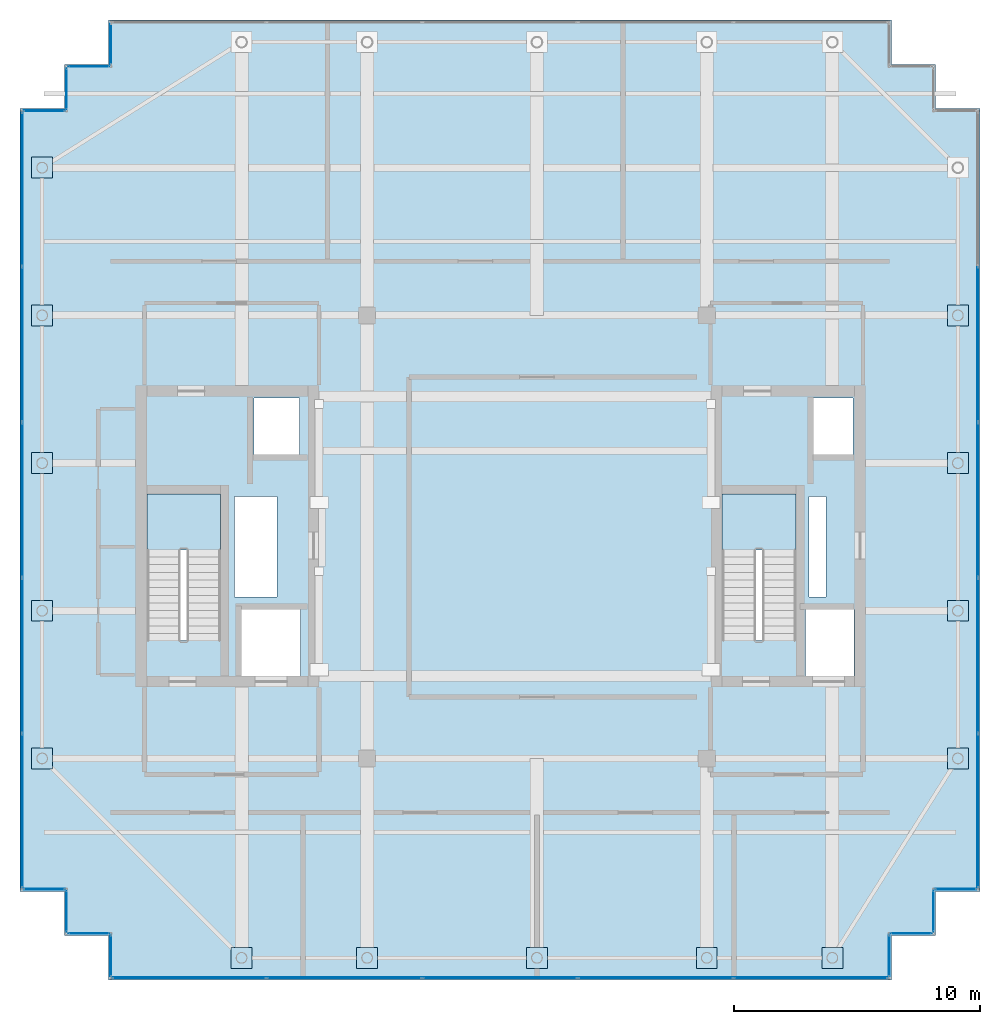
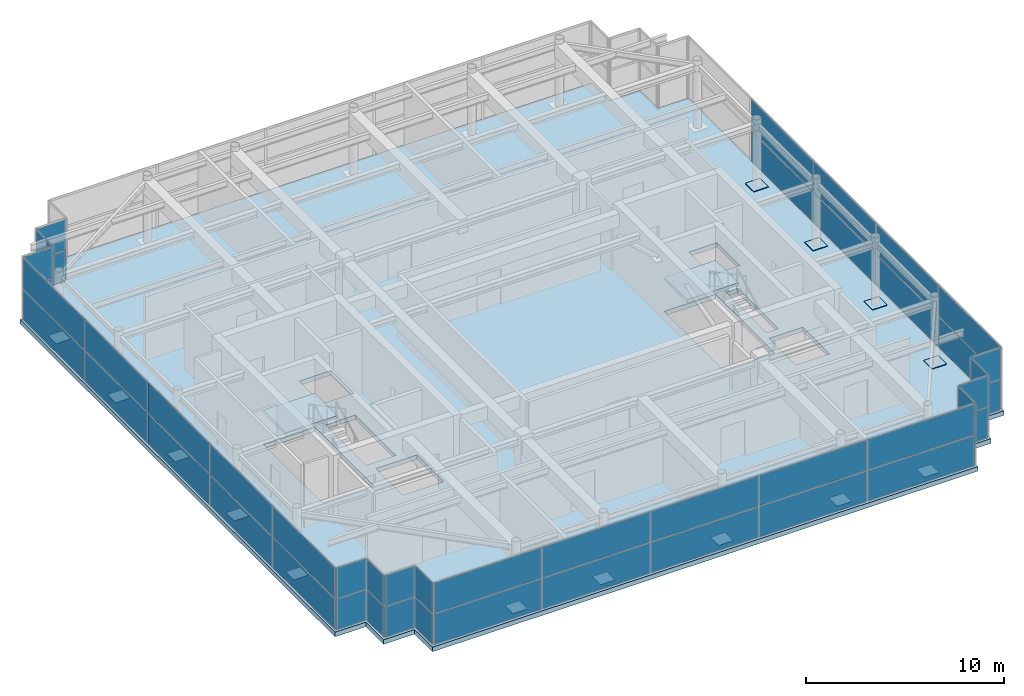
# One storey, part 28 of 32: 65 plates, 3 slabs, 17 elements without a shape of their own.
"""IFC4 building model written with IfcOpenShell, lengths in metres."""

from ifc_helpers import new_model, si_unit, direction, frame, origin, origin_2d, place, context, subcontext, project, spatial, polyline, rectangle, outline, extrude, source, transform, mapped, material, layer, layer_set, type_object, element, aggregate, save


model = new_model("IFC4")

# Units and contexts
model_context = context("Model", 3, precision=1e-05, world=origin(), true_north=direction((0.0, 1.0)))
body_context = subcontext(model_context, "Body", "Model", "MODEL_VIEW")
ifc_project = project(units=[si_unit("LENGTHUNIT", "METRE"), si_unit("AREAUNIT", "SQUARE_METRE"), si_unit("VOLUMEUNIT", "CUBIC_METRE"), si_unit("PLANEANGLEUNIT", "RADIAN"), si_unit("MASSUNIT", "GRAM", prefix="KILO")], contexts=[model_context])

# Site, building, storey
site_placement = place(None, origin())
site = spatial("IfcSite", under=ifc_project, at=site_placement, CompositionType="ELEMENT")
building_placement = place(site_placement, origin())
building = spatial("IfcBuilding", under=site, at=building_placement, Name="Khoralis Quay Care Tower", CompositionType="ELEMENT")
storey_placement = place(building_placement, frame((0.0, 0.0, 293.699951171875)))
storey = spatial("IfcBuildingStorey", under=building, at=storey_placement, Name="L77", CompositionType="ELEMENT", Elevation=293.699951171875)

# Stair, slab
ifc_material_1 = material(Name="Precast concrete C45/55", Category="concrete")
stair_type = type_object("IfcStairType", Name="ST-TWR-DOGLEG-1400", PredefinedType="HALF_TURN_STAIR", material=ifc_material_1)
stair_1_placement = place(storey_placement, origin())
stair_1 = element("IfcStair", 1, at=stair_1_placement, inside=storey, type_object=stair_type, Name="L77 West Core Exit Stair ST-T1", PredefinedType="HALF_TURN_STAIR")
ifc_layer_1 = layer(ifc_material_1, 0.199951171875)
ifc_layer_set_1 = layer_set([ifc_layer_1], Name="Precast concrete C45/55")
slab_type_1 = type_object("IfcSlabType", Name="SLB-LANDING-200", PredefinedType="LANDING", material=ifc_layer_set_1)
slab_1_placement = place(storey_placement, frame((0.0, 0.0, 1.900146484375)))
slab_1 = element("IfcSlab", 2, at=slab_1_placement, type_object=slab_type_1, Name="ST-T1 landing 1", PredefinedType="LANDING", context=body_context, shape_type="SweptSolid", body=[
    extrude(outline(polyline([(11.14990234375, 20.4599609375), (11.14990234375, 22.75), (8.14990234375, 22.75), (8.14990234375, 20.4599609375), (11.14990234375, 20.4599609375)])), origin(), (0.0, 0.0, 1.0), 0.199951171875),
])
aggregate(stair_1, [slab_1])

stair_2_placement = place(storey_placement, origin())
stair_2 = element("IfcStair", 3, at=stair_2_placement, inside=storey, type_object=stair_type, Name="L77 East Core Exit Stair ST-T2", PredefinedType="HALF_TURN_STAIR")
slab_2_placement = place(storey_placement, frame((0.0, 0.0, 1.900146484375)))
slab_2 = element("IfcSlab", 4, at=slab_2_placement, type_object=slab_type_1, Name="ST-T2 landing 1", PredefinedType="LANDING", context=body_context, shape_type="SweptSolid", body=[
    extrude(outline(polyline([(34.52001953125, 20.4599609375), (34.52001953125, 22.75), (31.52001953125, 22.75), (31.52001953125, 20.4599609375), (34.52001953125, 20.4599609375)])), origin(), (0.0, 0.0, 1.0), 0.199951171875),
])
aggregate(stair_2, [slab_2])

# Slab
ifc_material_2 = material(Name="Concrete C40/50", Category="concrete")
ifc_layer_2 = layer(ifc_material_2, 0.280029296875)
ifc_layer_set_2 = layer_set([ifc_layer_2], Name="Concrete C40/50")
slab_type_2 = type_object("IfcSlabType", Name="SLB-TWR-280", PredefinedType="FLOOR", material=ifc_layer_set_2)
slab_3_placement = place(storey_placement, frame((0.0, 0.0, -0.280029296875)))
element("IfcSlab", 5, at=slab_3_placement, inside=storey, type_object=slab_type_2, Name="Tower Floor Slab L77", PredefinedType="FLOOR", context=body_context, shape_type="SweptSolid", body=[
    extrude(outline(polyline([(6.60009765625, 3.0), (38.39990234375, 3.0), (38.39990234375, 4.800048828125), (40.199951171875, 4.800048828125), (40.199951171875, 6.60009765625), (42.0, 6.60009765625), (42.0, 38.39990234375), (40.199951171875, 38.39990234375), (40.199951171875, 40.199951171875), (38.39990234375, 40.199951171875), (38.39990234375, 42.0), (6.60009765625, 42.0), (6.60009765625, 40.199951171875), (4.800048828125, 40.199951171875), (4.800048828125, 38.39990234375), (3.0, 38.39990234375), (3.0, 6.60009765625), (4.800048828125, 6.60009765625), (4.800048828125, 4.800048828125), (6.60009765625, 4.800048828125), (6.60009765625, 3.0)]), holes=[polyline([(11.14990234375, 16.800048828125), (11.14990234375, 22.75), (8.14990234375, 22.75), (8.14990234375, 16.800048828125), (11.14990234375, 16.800048828125)]), polyline([(34.52001953125, 16.800048828125), (34.52001953125, 22.75), (31.52001953125, 22.75), (31.52001953125, 16.800048828125), (34.52001953125, 16.800048828125)]), polyline([(12.0, 15.35009765625), (14.39990234375, 15.35009765625), (14.39990234375, 18.050048828125), (12.0, 18.050048828125), (12.0, 15.35009765625)]), polyline([(34.919921875, 15.35009765625), (36.8798828125, 15.35009765625), (36.8798828125, 18.050048828125), (34.919921875, 18.050048828125), (34.919921875, 15.35009765625)]), polyline([(12.5, 24.35009765625), (14.35009765625, 24.35009765625), (14.35009765625, 26.64990234375), (12.5, 26.64990234375), (12.5, 24.35009765625)]), polyline([(35.199951171875, 24.35009765625), (36.85009765625, 24.35009765625), (36.85009765625, 26.64990234375), (35.199951171875, 26.64990234375), (35.199951171875, 24.35009765625)]), polyline([(11.719970703125, 18.550048828125), (13.449951171875, 18.550048828125), (13.449951171875, 22.64990234375), (11.719970703125, 22.64990234375), (11.719970703125, 18.550048828125)]), polyline([(35.050048828125, 18.550048828125), (35.75, 18.550048828125), (35.75, 22.64990234375), (35.050048828125, 22.64990234375), (35.050048828125, 18.550048828125)])]), origin(), (0.0, 0.0, 1.0), 0.280029296875),
])

# Plates
ifc_material_3 = material(Name="Steel S460", Category="steel")
ifc_layer_3 = layer(ifc_material_3, 0.0400390625)
ifc_layer_set_3 = layer_set([ifc_layer_3], Name="Steel S460")
plate_type_1 = type_object("IfcPlateType", Name="PLT-BASE-LB1", PredefinedType="USERDEFINED", material=ifc_layer_set_3)
shared_shape_1 = source(origin(), body_context, "Body", "SweptSolid", [
    extrude(rectangle(XDim=0.85009765625, YDim=0.85009765625, at=origin_2d()), origin(), (0.0, 0.0, 1.0), 0.0400390625),
])
for number, where, z_axis, x_axis, name in (
    (6, (12.0, 3.89990234375, 0.0), (0.0, 0.0, 1.0), (1.0, 0.0, 0.0), "Lantern Crown Column Base Plate LB1-01"),
    (7, (17.10009765625, 3.89990234375, 0.0), (0.0, 0.0, 1.0), (1.0, 0.0, 0.0), "Lantern Crown Column Base Plate LB1-03"),
    (8, (24.0, 3.89990234375, 0.0), (0.0, 0.0, 1.0), (1.0, 0.0, 0.0), "Lantern Crown Column Base Plate LB1-05"),
    (9, (30.89990234375, 3.89990234375, 0.0), (0.0, 0.0, 1.0), (1.0, 0.0, 0.0), "Lantern Crown Column Base Plate LB1-07"),
    (10, (36.0, 3.89990234375, 0.0), (0.0, 0.0, 1.0), (1.0, 0.0, 0.0), "Lantern Crown Column Base Plate LB1-09"),
    (11, (3.89990234375, 12.0, 0.0), (0.0, 0.0, 1.0), (1.0, 0.0, 0.0), "Lantern Crown Column Base Plate LB1-11"),
    (12, (41.10009765625, 12.0, 0.0), (0.0, 0.0, 1.0), (1.0, 0.0, 0.0), "Lantern Crown Column Base Plate LB1-12"),
    (13, (3.89990234375, 18.0, 0.0), (0.0, 0.0, 1.0), (1.0, 0.0, 0.0), "Lantern Crown Column Base Plate LB1-13"),
    (14, (41.10009765625, 18.0, 0.0), (0.0, 0.0, 1.0), (1.0, 0.0, 0.0), "Lantern Crown Column Base Plate LB1-14"),
    (15, (3.89990234375, 24.0, 0.0), (0.0, 0.0, 1.0), (1.0, 0.0, 0.0), "Lantern Crown Column Base Plate LB1-15"),
    (16, (41.10009765625, 24.0, 0.0), (0.0, 0.0, 1.0), (1.0, 0.0, 0.0), "Lantern Crown Column Base Plate LB1-16"),
    (17, (3.89990234375, 30.0, 0.0), (0.0, 0.0, 1.0), (1.0, 0.0, 0.0), "Lantern Crown Column Base Plate LB1-17"),
    (18, (41.10009765625, 30.0, 0.0), (0.0, 0.0, 1.0), (1.0, 0.0, 0.0), "Lantern Crown Column Base Plate LB1-18"),
    (19, (3.89990234375, 36.0, 0.0), (0.0, 0.0, 1.0), (1.0, 0.0, 0.0), "Lantern Crown Column Base Plate LB1-19"),
):
    element("IfcPlate", number, at=place(storey_placement, frame(where, z_axis=z_axis, x_axis=x_axis)), inside=storey, type_object=plate_type_1, Name=name, ObjectType="BASE_PLATE", PredefinedType="USERDEFINED", context=body_context, shape_type="MappedRepresentation", body=[
        mapped(shared_shape_1, transform((0.0, 0.0, 0.0), scale=1.0)),
    ])

# Curtain wall, plates
ifc_material_4 = material(Name="Pale anodised aluminium", Category="aluminium")
ifc_layer_4 = layer(ifc_material_4, 0.199951171875)
ifc_layer_set_4 = layer_set([ifc_layer_4], Name="Pale anodised aluminium")
curtain_wall_type = type_object("IfcCurtainWallType", Name="CW-SYS-LANTERN", PredefinedType="NOTDEFINED", material=ifc_layer_set_4)
curtain_wall_1_placement = place(storey_placement, origin())
curtain_wall_1 = element("IfcCurtainWall", 20, at=curtain_wall_1_placement, inside=storey, type_object=curtain_wall_type, Name="L77 Unitised Curtain Wall CW-LN-L77-01", PredefinedType="NOTDEFINED")
ifc_material_5 = material(Name="Low-iron clear lantern glazing", Category="glass")
ifc_layer_5 = layer(ifc_material_5, 0.035888671875)
ifc_layer_set_5 = layer_set([ifc_layer_5], Name="Low-iron clear lantern glazing")
plate_type_2 = type_object("IfcPlateType", Name="PNL-LNT-36", PredefinedType="CURTAIN_PANEL", material=ifc_layer_set_5)
shared_shape_2 = source(origin(), body_context, "Body", "SweptSolid", [
    extrude(rectangle(XDim=6.23388671875, YDim=0.028076171875, at=origin_2d()), origin(), (0.0, 0.0, 1.0), 1.8701171875),
])
plate_1_placement = place(storey_placement, frame((9.866943359375, 3.090087890625, 0.06005859375), z_axis=(0.0, 0.0, 1.0), x_axis=(1.0, 0.0, 0.0)))
plate_1 = element("IfcPlate", 21, at=plate_1_placement, type_object=plate_type_2, Name="CW5 panel 1.1", PredefinedType="CURTAIN_PANEL", context=body_context, shape_type="MappedRepresentation", body=[
    mapped(shared_shape_2, transform((0.0, 0.0, 0.0), scale=1.0)),
])
plate_2_placement = place(storey_placement, frame((9.866943359375, 3.090087890625, 1.989990234375), z_axis=(0.0, 0.0, 1.0), x_axis=(1.0, 0.0, 0.0)))
plate_2 = element("IfcPlate", 22, at=plate_2_placement, type_object=plate_type_2, Name="CW5 panel 1.2", PredefinedType="CURTAIN_PANEL", context=body_context, shape_type="MappedRepresentation", body=[
    mapped(shared_shape_2, transform((0.0, 0.0, 0.0), scale=1.0)),
])
plate_3_placement = place(storey_placement, frame((35.133056640625, 3.090087890625, 0.06005859375), z_axis=(0.0, 0.0, 1.0), x_axis=(1.0, 0.0, 0.0)))
plate_3 = element("IfcPlate", 23, at=plate_3_placement, type_object=plate_type_2, Name="CW5 panel 5.1", PredefinedType="CURTAIN_PANEL", context=body_context, shape_type="MappedRepresentation", body=[
    mapped(shared_shape_2, transform((0.0, 0.0, 0.0), scale=1.0)),
])
plate_4_placement = place(storey_placement, frame((35.133056640625, 3.090087890625, 1.989990234375), z_axis=(0.0, 0.0, 1.0), x_axis=(1.0, 0.0, 0.0)))
plate_4 = element("IfcPlate", 24, at=plate_4_placement, type_object=plate_type_2, Name="CW5 panel 5.2", PredefinedType="CURTAIN_PANEL", context=body_context, shape_type="MappedRepresentation", body=[
    mapped(shared_shape_2, transform((0.0, 0.0, 0.0), scale=1.0)),
])

curtain_wall_2_placement = place(storey_placement, origin())
curtain_wall_2 = element("IfcCurtainWall", 25, at=curtain_wall_2_placement, inside=storey, type_object=curtain_wall_type, Name="L77 Unitised Curtain Wall CW-LN-L77-06", PredefinedType="NOTDEFINED")
plate_5_placement = place(storey_placement, frame((41.909912109375, 9.866943359375, 0.06005859375), z_axis=(0.0, 0.0, 1.0), x_axis=(0.0, 1.0, 0.0)))
plate_5 = element("IfcPlate", 26, at=plate_5_placement, type_object=plate_type_2, Name="CW5 panel 1.1", PredefinedType="CURTAIN_PANEL", context=body_context, shape_type="MappedRepresentation", body=[
    mapped(shared_shape_2, transform((0.0, 0.0, 0.0), scale=1.0)),
])
plate_6_placement = place(storey_placement, frame((41.909912109375, 9.866943359375, 1.989990234375), z_axis=(0.0, 0.0, 1.0), x_axis=(0.0, 1.0, 0.0)))
plate_6 = element("IfcPlate", 27, at=plate_6_placement, type_object=plate_type_2, Name="CW5 panel 1.2", PredefinedType="CURTAIN_PANEL", context=body_context, shape_type="MappedRepresentation", body=[
    mapped(shared_shape_2, transform((0.0, 0.0, 0.0), scale=1.0)),
])

curtain_wall_3_placement = place(storey_placement, origin())
curtain_wall_3 = element("IfcCurtainWall", 28, at=curtain_wall_3_placement, inside=storey, type_object=curtain_wall_type, Name="L77 Unitised Curtain Wall CW-LN-L77-16", PredefinedType="NOTDEFINED")
plate_7_placement = place(storey_placement, frame((3.090087890625, 35.133056640625, 0.06005859375), z_axis=(0.0, 0.0, 1.0), x_axis=(0.0, -1.0, 0.0)))
plate_7 = element("IfcPlate", 29, at=plate_7_placement, type_object=plate_type_2, Name="CW5 panel 1.1", PredefinedType="CURTAIN_PANEL", context=body_context, shape_type="MappedRepresentation", body=[
    mapped(shared_shape_2, transform((0.0, 0.0, 0.0), scale=1.0)),
])
plate_8_placement = place(storey_placement, frame((3.090087890625, 35.133056640625, 1.989990234375), z_axis=(0.0, 0.0, 1.0), x_axis=(0.0, -1.0, 0.0)))
plate_8 = element("IfcPlate", 30, at=plate_8_placement, type_object=plate_type_2, Name="CW5 panel 1.2", PredefinedType="CURTAIN_PANEL", context=body_context, shape_type="MappedRepresentation", body=[
    mapped(shared_shape_2, transform((0.0, 0.0, 0.0), scale=1.0)),
])
plate_9_placement = place(storey_placement, frame((3.090087890625, 9.866943359375, 0.06005859375), z_axis=(0.0, 0.0, 1.0), x_axis=(0.0, -1.0, 0.0)))
plate_9 = element("IfcPlate", 31, at=plate_9_placement, type_object=plate_type_2, Name="CW5 panel 5.1", PredefinedType="CURTAIN_PANEL", context=body_context, shape_type="MappedRepresentation", body=[
    mapped(shared_shape_2, transform((0.0, 0.0, 0.0), scale=1.0)),
])
plate_10_placement = place(storey_placement, frame((3.090087890625, 9.866943359375, 1.989990234375), z_axis=(0.0, 0.0, 1.0), x_axis=(0.0, -1.0, 0.0)))
plate_10 = element("IfcPlate", 32, at=plate_10_placement, type_object=plate_type_2, Name="CW5 panel 5.2", PredefinedType="CURTAIN_PANEL", context=body_context, shape_type="MappedRepresentation", body=[
    mapped(shared_shape_2, transform((0.0, 0.0, 0.0), scale=1.0)),
])

# Plate
shared_shape_3 = source(origin(), body_context, "Body", "SweptSolid", [
    extrude(rectangle(XDim=6.263916015625, YDim=0.028076171875, at=origin_2d()), origin(), (0.0, 0.0, 1.0), 1.8701171875),
])
plate_11_placement = place(storey_placement, frame((16.176025390625, 3.090087890625, 0.06005859375), z_axis=(0.0, 0.0, 1.0), x_axis=(1.0, 0.0, 0.0)))
plate_11 = element("IfcPlate", 33, at=plate_11_placement, type_object=plate_type_2, Name="CW5 panel 2.1", PredefinedType="CURTAIN_PANEL", context=body_context, shape_type="MappedRepresentation", body=[
    mapped(shared_shape_3, transform((0.0, 0.0, 0.0), scale=1.0)),
])

plate_12_placement = place(storey_placement, frame((16.176025390625, 3.090087890625, 1.989990234375), z_axis=(0.0, 0.0, 1.0), x_axis=(1.0, 0.0, 0.0)))
plate_12 = element("IfcPlate", 34, at=plate_12_placement, type_object=plate_type_2, Name="CW5 panel 2.2", PredefinedType="CURTAIN_PANEL", context=body_context, shape_type="MappedRepresentation", body=[
    mapped(shared_shape_3, transform((0.0, 0.0, 0.0), scale=1.0)),
])

plate_13_placement = place(storey_placement, frame((22.5, 3.090087890625, 0.06005859375), z_axis=(0.0, 0.0, 1.0), x_axis=(1.0, 0.0, 0.0)))
plate_13 = element("IfcPlate", 35, at=plate_13_placement, type_object=plate_type_2, Name="CW5 panel 3.1", PredefinedType="CURTAIN_PANEL", context=body_context, shape_type="MappedRepresentation", body=[
    mapped(shared_shape_3, transform((0.0, 0.0, 0.0), scale=1.0)),
])

plate_14_placement = place(storey_placement, frame((22.5, 3.090087890625, 1.989990234375), z_axis=(0.0, 0.0, 1.0), x_axis=(1.0, 0.0, 0.0)))
plate_14 = element("IfcPlate", 36, at=plate_14_placement, type_object=plate_type_2, Name="CW5 panel 3.2", PredefinedType="CURTAIN_PANEL", context=body_context, shape_type="MappedRepresentation", body=[
    mapped(shared_shape_3, transform((0.0, 0.0, 0.0), scale=1.0)),
])

plate_15_placement = place(storey_placement, frame((28.823974609375, 3.090087890625, 0.06005859375), z_axis=(0.0, 0.0, 1.0), x_axis=(1.0, 0.0, 0.0)))
plate_15 = element("IfcPlate", 37, at=plate_15_placement, type_object=plate_type_2, Name="CW5 panel 4.1", PredefinedType="CURTAIN_PANEL", context=body_context, shape_type="MappedRepresentation", body=[
    mapped(shared_shape_3, transform((0.0, 0.0, 0.0), scale=1.0)),
])

plate_16_placement = place(storey_placement, frame((28.823974609375, 3.090087890625, 1.989990234375), z_axis=(0.0, 0.0, 1.0), x_axis=(1.0, 0.0, 0.0)))
plate_16 = element("IfcPlate", 38, at=plate_16_placement, type_object=plate_type_2, Name="CW5 panel 4.2", PredefinedType="CURTAIN_PANEL", context=body_context, shape_type="MappedRepresentation", body=[
    mapped(shared_shape_3, transform((0.0, 0.0, 0.0), scale=1.0)),
])

aggregate(curtain_wall_1, [plate_1, plate_2, plate_11, plate_12, plate_13, plate_14, plate_15, plate_16, plate_3, plate_4])

plate_17_placement = place(storey_placement, frame((41.909912109375, 16.176025390625, 0.06005859375), z_axis=(0.0, 0.0, 1.0), x_axis=(0.0, 1.0, 0.0)))
plate_17 = element("IfcPlate", 39, at=plate_17_placement, type_object=plate_type_2, Name="CW5 panel 2.1", PredefinedType="CURTAIN_PANEL", context=body_context, shape_type="MappedRepresentation", body=[
    mapped(shared_shape_3, transform((0.0, 0.0, 0.0), scale=1.0)),
])

plate_18_placement = place(storey_placement, frame((41.909912109375, 16.176025390625, 1.989990234375), z_axis=(0.0, 0.0, 1.0), x_axis=(0.0, 1.0, 0.0)))
plate_18 = element("IfcPlate", 40, at=plate_18_placement, type_object=plate_type_2, Name="CW5 panel 2.2", PredefinedType="CURTAIN_PANEL", context=body_context, shape_type="MappedRepresentation", body=[
    mapped(shared_shape_3, transform((0.0, 0.0, 0.0), scale=1.0)),
])

plate_19_placement = place(storey_placement, frame((41.909912109375, 22.5, 0.06005859375), z_axis=(0.0, 0.0, 1.0), x_axis=(0.0, 1.0, 0.0)))
plate_19 = element("IfcPlate", 41, at=plate_19_placement, type_object=plate_type_2, Name="CW5 panel 3.1", PredefinedType="CURTAIN_PANEL", context=body_context, shape_type="MappedRepresentation", body=[
    mapped(shared_shape_3, transform((0.0, 0.0, 0.0), scale=1.0)),
])

plate_20_placement = place(storey_placement, frame((41.909912109375, 22.5, 1.989990234375), z_axis=(0.0, 0.0, 1.0), x_axis=(0.0, 1.0, 0.0)))
plate_20 = element("IfcPlate", 42, at=plate_20_placement, type_object=plate_type_2, Name="CW5 panel 3.2", PredefinedType="CURTAIN_PANEL", context=body_context, shape_type="MappedRepresentation", body=[
    mapped(shared_shape_3, transform((0.0, 0.0, 0.0), scale=1.0)),
])

plate_21_placement = place(storey_placement, frame((41.909912109375, 28.823974609375, 0.06005859375), z_axis=(0.0, 0.0, 1.0), x_axis=(0.0, 1.0, 0.0)))
plate_21 = element("IfcPlate", 43, at=plate_21_placement, type_object=plate_type_2, Name="CW5 panel 4.1", PredefinedType="CURTAIN_PANEL", context=body_context, shape_type="MappedRepresentation", body=[
    mapped(shared_shape_3, transform((0.0, 0.0, 0.0), scale=1.0)),
])

plate_22_placement = place(storey_placement, frame((41.909912109375, 28.823974609375, 1.989990234375), z_axis=(0.0, 0.0, 1.0), x_axis=(0.0, 1.0, 0.0)))
plate_22 = element("IfcPlate", 44, at=plate_22_placement, type_object=plate_type_2, Name="CW5 panel 4.2", PredefinedType="CURTAIN_PANEL", context=body_context, shape_type="MappedRepresentation", body=[
    mapped(shared_shape_3, transform((0.0, 0.0, 0.0), scale=1.0)),
])

aggregate(curtain_wall_2, [plate_5, plate_6, plate_17, plate_18, plate_19, plate_20, plate_21, plate_22])

plate_23_placement = place(storey_placement, frame((3.090087890625, 28.823974609375, 0.06005859375), z_axis=(0.0, 0.0, 1.0), x_axis=(0.0, -1.0, 0.0)))
plate_23 = element("IfcPlate", 45, at=plate_23_placement, type_object=plate_type_2, Name="CW5 panel 2.1", PredefinedType="CURTAIN_PANEL", context=body_context, shape_type="MappedRepresentation", body=[
    mapped(shared_shape_3, transform((0.0, 0.0, 0.0), scale=1.0)),
])

plate_24_placement = place(storey_placement, frame((3.090087890625, 28.823974609375, 1.989990234375), z_axis=(0.0, 0.0, 1.0), x_axis=(0.0, -1.0, 0.0)))
plate_24 = element("IfcPlate", 46, at=plate_24_placement, type_object=plate_type_2, Name="CW5 panel 2.2", PredefinedType="CURTAIN_PANEL", context=body_context, shape_type="MappedRepresentation", body=[
    mapped(shared_shape_3, transform((0.0, 0.0, 0.0), scale=1.0)),
])

plate_25_placement = place(storey_placement, frame((3.090087890625, 22.5, 0.06005859375), z_axis=(0.0, 0.0, 1.0), x_axis=(0.0, -1.0, 0.0)))
plate_25 = element("IfcPlate", 47, at=plate_25_placement, type_object=plate_type_2, Name="CW5 panel 3.1", PredefinedType="CURTAIN_PANEL", context=body_context, shape_type="MappedRepresentation", body=[
    mapped(shared_shape_3, transform((0.0, 0.0, 0.0), scale=1.0)),
])

plate_26_placement = place(storey_placement, frame((3.090087890625, 22.5, 1.989990234375), z_axis=(0.0, 0.0, 1.0), x_axis=(0.0, -1.0, 0.0)))
plate_26 = element("IfcPlate", 48, at=plate_26_placement, type_object=plate_type_2, Name="CW5 panel 3.2", PredefinedType="CURTAIN_PANEL", context=body_context, shape_type="MappedRepresentation", body=[
    mapped(shared_shape_3, transform((0.0, 0.0, 0.0), scale=1.0)),
])

plate_27_placement = place(storey_placement, frame((3.090087890625, 16.176025390625, 0.06005859375), z_axis=(0.0, 0.0, 1.0), x_axis=(0.0, -1.0, 0.0)))
plate_27 = element("IfcPlate", 49, at=plate_27_placement, type_object=plate_type_2, Name="CW5 panel 4.1", PredefinedType="CURTAIN_PANEL", context=body_context, shape_type="MappedRepresentation", body=[
    mapped(shared_shape_3, transform((0.0, 0.0, 0.0), scale=1.0)),
])

plate_28_placement = place(storey_placement, frame((3.090087890625, 16.176025390625, 1.989990234375), z_axis=(0.0, 0.0, 1.0), x_axis=(0.0, -1.0, 0.0)))
plate_28 = element("IfcPlate", 50, at=plate_28_placement, type_object=plate_type_2, Name="CW5 panel 4.2", PredefinedType="CURTAIN_PANEL", context=body_context, shape_type="MappedRepresentation", body=[
    mapped(shared_shape_3, transform((0.0, 0.0, 0.0), scale=1.0)),
])

aggregate(curtain_wall_3, [plate_7, plate_8, plate_23, plate_24, plate_25, plate_26, plate_27, plate_28, plate_9, plate_10])

# Curtain wall, plates
curtain_wall_4_placement = place(storey_placement, origin())
curtain_wall_4 = element("IfcCurtainWall", 51, at=curtain_wall_4_placement, inside=storey, type_object=curtain_wall_type, Name="L77 Unitised Curtain Wall CW-LN-L77-02", PredefinedType="NOTDEFINED")
shared_shape_4 = source(origin(), body_context, "Body", "SweptSolid", [
    extrude(rectangle(XDim=1.679931640625, YDim=0.028076171875, at=origin_2d()), origin(), (0.0, 0.0, 1.0), 1.8701171875),
])
plate_29_placement = place(storey_placement, frame((38.31005859375, 3.989990234375, 0.06005859375), z_axis=(0.0, 0.0, 1.0), x_axis=(0.0, 1.0, 0.0)))
plate_29 = element("IfcPlate", 52, at=plate_29_placement, type_object=plate_type_2, Name="CW5 panel 1.1", PredefinedType="CURTAIN_PANEL", context=body_context, shape_type="MappedRepresentation", body=[
    mapped(shared_shape_4, transform((0.0, 0.0, 0.0), scale=1.0)),
])
plate_30_placement = place(storey_placement, frame((38.31005859375, 3.989990234375, 1.989990234375), z_axis=(0.0, 0.0, 1.0), x_axis=(0.0, 1.0, 0.0)))
plate_30 = element("IfcPlate", 53, at=plate_30_placement, type_object=plate_type_2, Name="CW5 panel 1.2", PredefinedType="CURTAIN_PANEL", context=body_context, shape_type="MappedRepresentation", body=[
    mapped(shared_shape_4, transform((0.0, 0.0, 0.0), scale=1.0)),
])
aggregate(curtain_wall_4, [plate_29, plate_30])

curtain_wall_5_placement = place(storey_placement, origin())
curtain_wall_5 = element("IfcCurtainWall", 54, at=curtain_wall_5_placement, inside=storey, type_object=curtain_wall_type, Name="L77 Unitised Curtain Wall CW-LN-L77-03", PredefinedType="NOTDEFINED")
plate_31_placement = place(storey_placement, frame((39.2099609375, 4.889892578125, 0.06005859375), z_axis=(0.0, 0.0, 1.0), x_axis=(1.0, 0.0, 0.0)))
plate_31 = element("IfcPlate", 55, at=plate_31_placement, type_object=plate_type_2, Name="CW5 panel 1.1", PredefinedType="CURTAIN_PANEL", context=body_context, shape_type="MappedRepresentation", body=[
    mapped(shared_shape_4, transform((0.0, 0.0, 0.0), scale=1.0)),
])
plate_32_placement = place(storey_placement, frame((39.2099609375, 4.889892578125, 1.989990234375), z_axis=(0.0, 0.0, 1.0), x_axis=(1.0, 0.0, 0.0)))
plate_32 = element("IfcPlate", 56, at=plate_32_placement, type_object=plate_type_2, Name="CW5 panel 1.2", PredefinedType="CURTAIN_PANEL", context=body_context, shape_type="MappedRepresentation", body=[
    mapped(shared_shape_4, transform((0.0, 0.0, 0.0), scale=1.0)),
])
aggregate(curtain_wall_5, [plate_31, plate_32])

curtain_wall_6_placement = place(storey_placement, origin())
curtain_wall_6 = element("IfcCurtainWall", 57, at=curtain_wall_6_placement, inside=storey, type_object=curtain_wall_type, Name="L77 Unitised Curtain Wall CW-LN-L77-04", PredefinedType="NOTDEFINED")
plate_33_placement = place(storey_placement, frame((40.110107421875, 5.7900390625, 0.06005859375), z_axis=(0.0, 0.0, 1.0), x_axis=(0.0, 1.0, 0.0)))
plate_33 = element("IfcPlate", 58, at=plate_33_placement, type_object=plate_type_2, Name="CW5 panel 1.1", PredefinedType="CURTAIN_PANEL", context=body_context, shape_type="MappedRepresentation", body=[
    mapped(shared_shape_4, transform((0.0, 0.0, 0.0), scale=1.0)),
])
plate_34_placement = place(storey_placement, frame((40.110107421875, 5.7900390625, 1.989990234375), z_axis=(0.0, 0.0, 1.0), x_axis=(0.0, 1.0, 0.0)))
plate_34 = element("IfcPlate", 59, at=plate_34_placement, type_object=plate_type_2, Name="CW5 panel 1.2", PredefinedType="CURTAIN_PANEL", context=body_context, shape_type="MappedRepresentation", body=[
    mapped(shared_shape_4, transform((0.0, 0.0, 0.0), scale=1.0)),
])
aggregate(curtain_wall_6, [plate_33, plate_34])

curtain_wall_7_placement = place(storey_placement, origin())
curtain_wall_7 = element("IfcCurtainWall", 60, at=curtain_wall_7_placement, inside=storey, type_object=curtain_wall_type, Name="L77 Unitised Curtain Wall CW-LN-L77-05", PredefinedType="NOTDEFINED")
plate_35_placement = place(storey_placement, frame((41.010009765625, 6.68994140625, 0.06005859375), z_axis=(0.0, 0.0, 1.0), x_axis=(1.0, 0.0, 0.0)))
plate_35 = element("IfcPlate", 61, at=plate_35_placement, type_object=plate_type_2, Name="CW5 panel 1.1", PredefinedType="CURTAIN_PANEL", context=body_context, shape_type="MappedRepresentation", body=[
    mapped(shared_shape_4, transform((0.0, 0.0, 0.0), scale=1.0)),
])
plate_36_placement = place(storey_placement, frame((41.010009765625, 6.68994140625, 1.989990234375), z_axis=(0.0, 0.0, 1.0), x_axis=(1.0, 0.0, 0.0)))
plate_36 = element("IfcPlate", 62, at=plate_36_placement, type_object=plate_type_2, Name="CW5 panel 1.2", PredefinedType="CURTAIN_PANEL", context=body_context, shape_type="MappedRepresentation", body=[
    mapped(shared_shape_4, transform((0.0, 0.0, 0.0), scale=1.0)),
])
aggregate(curtain_wall_7, [plate_35, plate_36])

# Curtain wall, plate
curtain_wall_8_placement = place(storey_placement, origin())
curtain_wall_8 = element("IfcCurtainWall", 63, at=curtain_wall_8_placement, inside=storey, type_object=curtain_wall_type, Name="L77 Unitised Curtain Wall CW-LN-L77-12", PredefinedType="NOTDEFINED")
plate_37_placement = place(storey_placement, frame((6.68994140625, 41.010009765625, 0.06005859375), z_axis=(0.0, 0.0, 1.0), x_axis=(0.0, -1.0, 0.0)))
plate_37 = element("IfcPlate", 64, at=plate_37_placement, type_object=plate_type_2, Name="CW5 panel 1.1", PredefinedType="CURTAIN_PANEL", context=body_context, shape_type="MappedRepresentation", body=[
    mapped(shared_shape_4, transform((0.0, 0.0, 0.0), scale=1.0)),
])
aggregate(curtain_wall_8, [plate_37])

# Curtain wall, plates
curtain_wall_9_placement = place(storey_placement, origin())
curtain_wall_9 = element("IfcCurtainWall", 65, at=curtain_wall_9_placement, inside=storey, type_object=curtain_wall_type, Name="L77 Unitised Curtain Wall CW-LN-L77-13", PredefinedType="NOTDEFINED")
plate_38_placement = place(storey_placement, frame((5.7900390625, 40.110107421875, 0.06005859375), z_axis=(0.0, 0.0, 1.0), x_axis=(-1.0, 0.0, 0.0)))
plate_38 = element("IfcPlate", 66, at=plate_38_placement, type_object=plate_type_2, Name="CW5 panel 1.1", PredefinedType="CURTAIN_PANEL", context=body_context, shape_type="MappedRepresentation", body=[
    mapped(shared_shape_4, transform((0.0, 0.0, 0.0), scale=1.0)),
])
plate_39_placement = place(storey_placement, frame((5.7900390625, 40.110107421875, 1.989990234375), z_axis=(0.0, 0.0, 1.0), x_axis=(-1.0, 0.0, 0.0)))
plate_39 = element("IfcPlate", 67, at=plate_39_placement, type_object=plate_type_2, Name="CW5 panel 1.2", PredefinedType="CURTAIN_PANEL", context=body_context, shape_type="MappedRepresentation", body=[
    mapped(shared_shape_4, transform((0.0, 0.0, 0.0), scale=1.0)),
])
aggregate(curtain_wall_9, [plate_38, plate_39])

curtain_wall_10_placement = place(storey_placement, origin())
curtain_wall_10 = element("IfcCurtainWall", 68, at=curtain_wall_10_placement, inside=storey, type_object=curtain_wall_type, Name="L77 Unitised Curtain Wall CW-LN-L77-14", PredefinedType="NOTDEFINED")
plate_40_placement = place(storey_placement, frame((4.889892578125, 39.2099609375, 0.06005859375), z_axis=(0.0, 0.0, 1.0), x_axis=(0.0, -1.0, 0.0)))
plate_40 = element("IfcPlate", 69, at=plate_40_placement, type_object=plate_type_2, Name="CW5 panel 1.1", PredefinedType="CURTAIN_PANEL", context=body_context, shape_type="MappedRepresentation", body=[
    mapped(shared_shape_4, transform((0.0, 0.0, 0.0), scale=1.0)),
])
plate_41_placement = place(storey_placement, frame((4.889892578125, 39.2099609375, 1.989990234375), z_axis=(0.0, 0.0, 1.0), x_axis=(0.0, -1.0, 0.0)))
plate_41 = element("IfcPlate", 70, at=plate_41_placement, type_object=plate_type_2, Name="CW5 panel 1.2", PredefinedType="CURTAIN_PANEL", context=body_context, shape_type="MappedRepresentation", body=[
    mapped(shared_shape_4, transform((0.0, 0.0, 0.0), scale=1.0)),
])
aggregate(curtain_wall_10, [plate_40, plate_41])

curtain_wall_11_placement = place(storey_placement, origin())
curtain_wall_11 = element("IfcCurtainWall", 71, at=curtain_wall_11_placement, inside=storey, type_object=curtain_wall_type, Name="L77 Unitised Curtain Wall CW-LN-L77-15", PredefinedType="NOTDEFINED")
plate_42_placement = place(storey_placement, frame((3.989990234375, 38.31005859375, 0.06005859375), z_axis=(0.0, 0.0, 1.0), x_axis=(-1.0, 0.0, 0.0)))
plate_42 = element("IfcPlate", 72, at=plate_42_placement, type_object=plate_type_2, Name="CW5 panel 1.1", PredefinedType="CURTAIN_PANEL", context=body_context, shape_type="MappedRepresentation", body=[
    mapped(shared_shape_4, transform((0.0, 0.0, 0.0), scale=1.0)),
])
plate_43_placement = place(storey_placement, frame((3.989990234375, 38.31005859375, 1.989990234375), z_axis=(0.0, 0.0, 1.0), x_axis=(-1.0, 0.0, 0.0)))
plate_43 = element("IfcPlate", 73, at=plate_43_placement, type_object=plate_type_2, Name="CW5 panel 1.2", PredefinedType="CURTAIN_PANEL", context=body_context, shape_type="MappedRepresentation", body=[
    mapped(shared_shape_4, transform((0.0, 0.0, 0.0), scale=1.0)),
])
aggregate(curtain_wall_11, [plate_42, plate_43])

curtain_wall_12_placement = place(storey_placement, origin())
curtain_wall_12 = element("IfcCurtainWall", 74, at=curtain_wall_12_placement, inside=storey, type_object=curtain_wall_type, Name="L77 Unitised Curtain Wall CW-LN-L77-17", PredefinedType="NOTDEFINED")
plate_44_placement = place(storey_placement, frame((3.989990234375, 6.68994140625, 0.06005859375), z_axis=(0.0, 0.0, 1.0), x_axis=(1.0, 0.0, 0.0)))
plate_44 = element("IfcPlate", 75, at=plate_44_placement, type_object=plate_type_2, Name="CW5 panel 1.1", PredefinedType="CURTAIN_PANEL", context=body_context, shape_type="MappedRepresentation", body=[
    mapped(shared_shape_4, transform((0.0, 0.0, 0.0), scale=1.0)),
])
plate_45_placement = place(storey_placement, frame((3.989990234375, 6.68994140625, 1.989990234375), z_axis=(0.0, 0.0, 1.0), x_axis=(1.0, 0.0, 0.0)))
plate_45 = element("IfcPlate", 76, at=plate_45_placement, type_object=plate_type_2, Name="CW5 panel 1.2", PredefinedType="CURTAIN_PANEL", context=body_context, shape_type="MappedRepresentation", body=[
    mapped(shared_shape_4, transform((0.0, 0.0, 0.0), scale=1.0)),
])
aggregate(curtain_wall_12, [plate_44, plate_45])

curtain_wall_13_placement = place(storey_placement, origin())
curtain_wall_13 = element("IfcCurtainWall", 77, at=curtain_wall_13_placement, inside=storey, type_object=curtain_wall_type, Name="L77 Unitised Curtain Wall CW-LN-L77-18", PredefinedType="NOTDEFINED")
plate_46_placement = place(storey_placement, frame((4.889892578125, 5.7900390625, 0.06005859375), z_axis=(0.0, 0.0, 1.0), x_axis=(0.0, -1.0, 0.0)))
plate_46 = element("IfcPlate", 78, at=plate_46_placement, type_object=plate_type_2, Name="CW5 panel 1.1", PredefinedType="CURTAIN_PANEL", context=body_context, shape_type="MappedRepresentation", body=[
    mapped(shared_shape_4, transform((0.0, 0.0, 0.0), scale=1.0)),
])
plate_47_placement = place(storey_placement, frame((4.889892578125, 5.7900390625, 1.989990234375), z_axis=(0.0, 0.0, 1.0), x_axis=(0.0, -1.0, 0.0)))
plate_47 = element("IfcPlate", 79, at=plate_47_placement, type_object=plate_type_2, Name="CW5 panel 1.2", PredefinedType="CURTAIN_PANEL", context=body_context, shape_type="MappedRepresentation", body=[
    mapped(shared_shape_4, transform((0.0, 0.0, 0.0), scale=1.0)),
])
aggregate(curtain_wall_13, [plate_46, plate_47])

curtain_wall_14_placement = place(storey_placement, origin())
curtain_wall_14 = element("IfcCurtainWall", 80, at=curtain_wall_14_placement, inside=storey, type_object=curtain_wall_type, Name="L77 Unitised Curtain Wall CW-LN-L77-19", PredefinedType="NOTDEFINED")
plate_48_placement = place(storey_placement, frame((5.7900390625, 4.889892578125, 0.06005859375), z_axis=(0.0, 0.0, 1.0), x_axis=(1.0, 0.0, 0.0)))
plate_48 = element("IfcPlate", 81, at=plate_48_placement, type_object=plate_type_2, Name="CW5 panel 1.1", PredefinedType="CURTAIN_PANEL", context=body_context, shape_type="MappedRepresentation", body=[
    mapped(shared_shape_4, transform((0.0, 0.0, 0.0), scale=1.0)),
])
plate_49_placement = place(storey_placement, frame((5.7900390625, 4.889892578125, 1.989990234375), z_axis=(0.0, 0.0, 1.0), x_axis=(1.0, 0.0, 0.0)))
plate_49 = element("IfcPlate", 82, at=plate_49_placement, type_object=plate_type_2, Name="CW5 panel 1.2", PredefinedType="CURTAIN_PANEL", context=body_context, shape_type="MappedRepresentation", body=[
    mapped(shared_shape_4, transform((0.0, 0.0, 0.0), scale=1.0)),
])
aggregate(curtain_wall_14, [plate_48, plate_49])

curtain_wall_15_placement = place(storey_placement, origin())
curtain_wall_15 = element("IfcCurtainWall", 83, at=curtain_wall_15_placement, inside=storey, type_object=curtain_wall_type, Name="L77 Unitised Curtain Wall CW-LN-L77-20", PredefinedType="NOTDEFINED")
plate_50_placement = place(storey_placement, frame((6.68994140625, 3.989990234375, 0.06005859375), z_axis=(0.0, 0.0, 1.0), x_axis=(0.0, -1.0, 0.0)))
plate_50 = element("IfcPlate", 84, at=plate_50_placement, type_object=plate_type_2, Name="CW5 panel 1.1", PredefinedType="CURTAIN_PANEL", context=body_context, shape_type="MappedRepresentation", body=[
    mapped(shared_shape_4, transform((0.0, 0.0, 0.0), scale=1.0)),
])
plate_51_placement = place(storey_placement, frame((6.68994140625, 3.989990234375, 1.989990234375), z_axis=(0.0, 0.0, 1.0), x_axis=(0.0, -1.0, 0.0)))
plate_51 = element("IfcPlate", 85, at=plate_51_placement, type_object=plate_type_2, Name="CW5 panel 1.2", PredefinedType="CURTAIN_PANEL", context=body_context, shape_type="MappedRepresentation", body=[
    mapped(shared_shape_4, transform((0.0, 0.0, 0.0), scale=1.0)),
])
aggregate(curtain_wall_15, [plate_50, plate_51])

save(model, "model.ifc")
